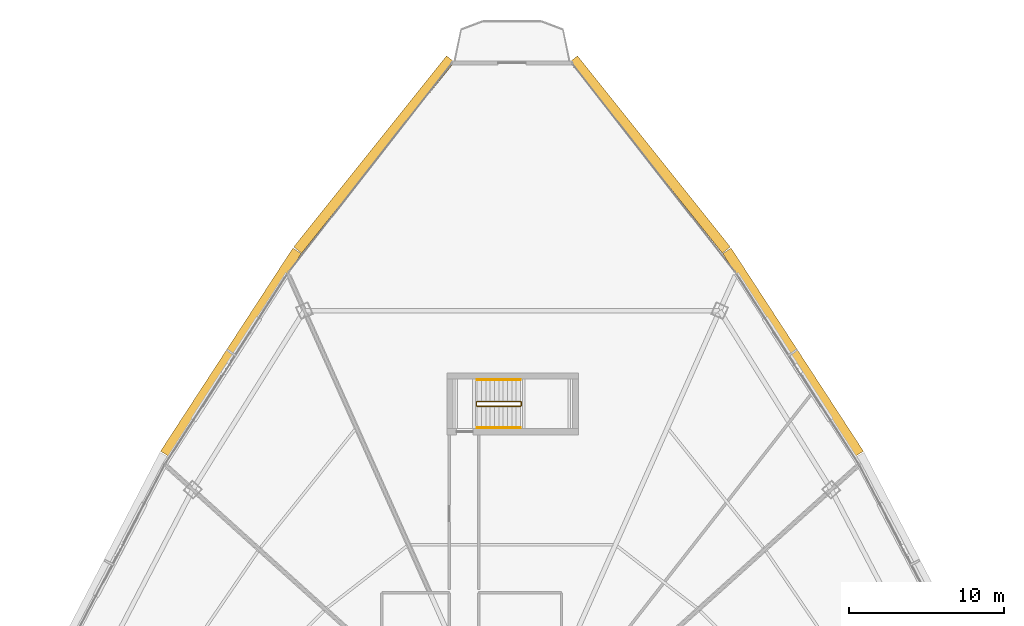
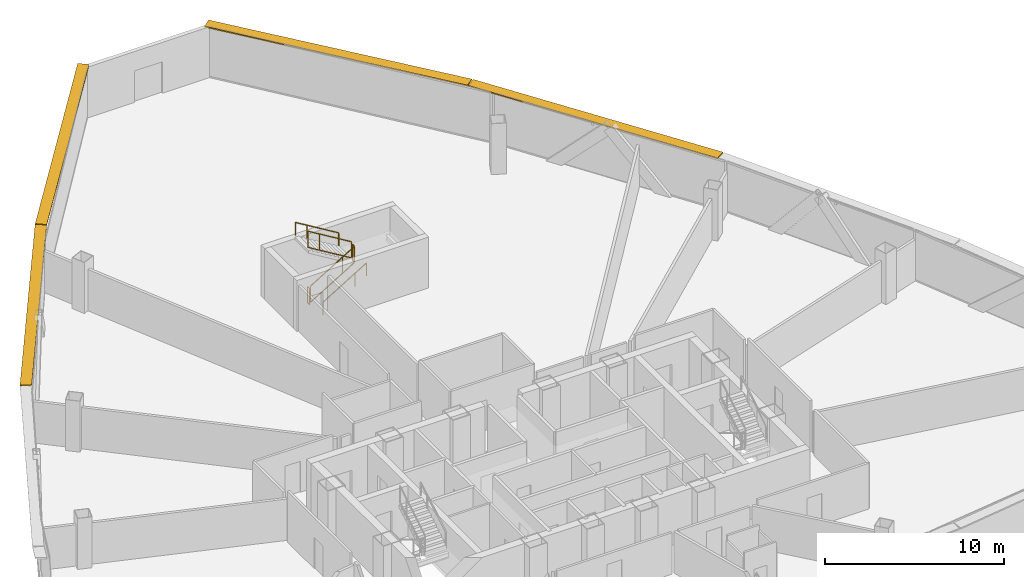
# One storey, part 35 of 36: 6 railings, 4 shading devices.
"""IFC4 building model written with IfcOpenShell, lengths in metres."""

from ifc_helpers import new_model, si_unit, direction, frame, origin, origin_2d, place, context, subcontext, project, spatial, rectangle, extrude, source, transform, mapped, material, layer, layer_set, type_object, element, save


model = new_model("IFC4")

# Units and contexts
model_context = context("Model", 3, precision=1e-05, world=origin(), true_north=direction((0.0, 1.0)))
body_context = subcontext(model_context, "Body", "Model", "MODEL_VIEW")
ifc_project = project(units=[si_unit("LENGTHUNIT", "METRE"), si_unit("AREAUNIT", "SQUARE_METRE"), si_unit("VOLUMEUNIT", "CUBIC_METRE"), si_unit("PLANEANGLEUNIT", "RADIAN"), si_unit("MASSUNIT", "GRAM", prefix="KILO"), si_unit("THERMODYNAMICTEMPERATUREUNIT", "KELVIN"), si_unit("POWERUNIT", "WATT")], contexts=[model_context])

# Site, building, storey
site_placement = place(None, origin())
site = spatial("IfcSite", under=ifc_project, at=site_placement, CompositionType="ELEMENT")
building_placement = place(site_placement, origin())
building = spatial("IfcBuilding", under=site, at=building_placement, Name="Yunzhuo Pagoda Commons", CompositionType="ELEMENT")
storey_placement = place(building_placement, frame((0.0, 0.0, 244.530029296875)))
storey = spatial("IfcBuildingStorey", under=building, at=storey_placement, Name="L61", CompositionType="ELEMENT", Elevation=244.530029296875)

# Railings
ifc_material = material(Name="Anodized aluminium 6063-T6", Category="aluminium")
railing_type_1 = type_object("IfcRailingType", Name="GR-ST3 North Well Guardrail 1155", PredefinedType="GUARDRAIL", material=ifc_material)
railing_1_placement = place(storey_placement, frame((45.75, 57.64990234375, 0.16943359375)))
element("IfcRailing", 1, at=railing_1_placement, inside=storey, type_object=railing_type_1, Name="L61 ST3 stair guard 1", PredefinedType="GUARDRAIL", context=body_context, shape_type="SweptSolid", body=[
    extrude(rectangle(XDim=0.048095703125, YDim=0.048095703125, at=origin_2d()), frame((0.0, 0.0, 1.1259765625), z_axis=(0.855393119324, 0.0, 0.517979354234), x_axis=(0.0, 1.0, 0.0)), (0.0, 0.0, 1.0), 3.2734375),
    extrude(rectangle(XDim=0.048095703125, YDim=0.048095703125, at=origin_2d()), frame((0.0, 0.0, 0.02392578125), z_axis=(0.855393119324, 0.0, 0.517979354234), x_axis=(0.0, 1.0, 0.0)), (0.0, 0.0, 1.0), 3.2734375),
    extrude(rectangle(XDim=0.0419921875, YDim=0.0419921875, at=origin_2d()), origin(), (0.0, 0.0, 1.0), 1.101806640625),
    extrude(rectangle(XDim=0.0419921875, YDim=0.0419921875, at=origin_2d()), frame((2.052978515625, 0.0, 1.2431640625)), (0.0, 0.0, 1.0), 1.101806640625),
    extrude(rectangle(XDim=0.0419921875, YDim=0.0419921875, at=origin_2d()), frame((2.800048828125, 0.0, 1.695556640625)), (0.0, 0.0, 1.0), 1.101806640625),
])
railing_2_placement = place(storey_placement, frame((48.60009765625, 57.699951171875, 1.864990234375)))
element("IfcRailing", 2, at=railing_2_placement, inside=storey, type_object=railing_type_1, Name="L61 ST3 stair guard 2", PredefinedType="GUARDRAIL", context=body_context, shape_type="SweptSolid", body=[
    extrude(rectangle(XDim=0.048095703125, YDim=0.048095703125, at=origin_2d()), frame((0.0, 0.0, 1.1259765625), z_axis=(0.0, 1.0, 0.0), x_axis=(-1.0, 0.0, 0.0)), (0.0, 0.0, 1.0), 0.199951171875),
    extrude(rectangle(XDim=0.048095703125, YDim=0.048095703125, at=origin_2d()), frame((0.0, 0.0, 0.02392578125), z_axis=(0.0, 1.0, 0.0), x_axis=(-1.0, 0.0, 0.0)), (0.0, 0.0, 1.0), 0.199951171875),
    extrude(rectangle(XDim=0.0419921875, YDim=0.0419921875, at=origin_2d()), origin(), (0.0, 0.0, 1.0), 1.101806640625),
    extrude(rectangle(XDim=0.0419921875, YDim=0.0419921875, at=origin_2d()), frame((0.0, 0.199951171875, 0.0)), (0.0, 0.0, 1.0), 1.101806640625),
])
railing_3_placement = place(storey_placement, frame((48.550048828125, 57.949951171875, 2.034423828125)))
element("IfcRailing", 3, at=railing_3_placement, inside=storey, type_object=railing_type_1, Name="L61 ST3 stair guard 3", PredefinedType="GUARDRAIL", context=body_context, shape_type="SweptSolid", body=[
    extrude(rectangle(XDim=0.048095703125, YDim=0.048095703125, at=origin_2d()), frame((0.0, 0.0, 1.1259765625), z_axis=(-0.855393119324, 0.0, 0.517979354234), x_axis=(0.0, -1.0, 0.0)), (0.0, 0.0, 1.0), 3.2734375),
    extrude(rectangle(XDim=0.048095703125, YDim=0.048095703125, at=origin_2d()), frame((0.0, 0.0, 0.02392578125), z_axis=(-0.855393119324, 0.0, 0.517979354234), x_axis=(0.0, -1.0, 0.0)), (0.0, 0.0, 1.0), 3.2734375),
    extrude(rectangle(XDim=0.0419921875, YDim=0.0419921875, at=origin_2d()), origin(), (0.0, 0.0, 1.0), 1.101806640625),
    extrude(rectangle(XDim=0.0419921875, YDim=0.0419921875, at=origin_2d()), frame((-2.052978515625, 0.0, 1.2431640625)), (0.0, 0.0, 1.0), 1.101806640625),
    extrude(rectangle(XDim=0.0419921875, YDim=0.0419921875, at=origin_2d()), frame((-2.800048828125, 0.0, 1.695556640625)), (0.0, 0.0, 1.0), 1.101806640625),
])
railing_4_placement = place(storey_placement, frame((45.699951171875, 57.699951171875, 0.0)))
element("IfcRailing", 4, at=railing_4_placement, inside=storey, type_object=railing_type_1, Name="L61 ST3 stair guard 4", PredefinedType="GUARDRAIL", context=body_context, shape_type="SweptSolid", body=[
    extrude(rectangle(XDim=0.048095703125, YDim=0.048095703125, at=origin_2d()), frame((0.0, 0.0, 1.1259765625), z_axis=(0.0, 1.0, 0.0), x_axis=(-1.0, 0.0, 0.0)), (0.0, 0.0, 1.0), 0.199951171875),
    extrude(rectangle(XDim=0.048095703125, YDim=0.048095703125, at=origin_2d()), frame((0.0, 0.0, 0.02392578125), z_axis=(0.0, 1.0, 0.0), x_axis=(-1.0, 0.0, 0.0)), (0.0, 0.0, 1.0), 0.199951171875),
    extrude(rectangle(XDim=0.0419921875, YDim=0.0419921875, at=origin_2d()), origin(), (0.0, 0.0, 1.0), 1.101806640625),
    extrude(rectangle(XDim=0.0419921875, YDim=0.0419921875, at=origin_2d()), frame((0.0, 0.199951171875, 0.0)), (0.0, 0.0, 1.0), 1.101806640625),
])
railing_type_2 = type_object("IfcRailingType", Name="HR-ST3 North Stair Handrail 900", PredefinedType="HANDRAIL", material=ifc_material)
railing_5_placement = place(storey_placement, frame((45.75, 56.25, 0.16943359375)))
element("IfcRailing", 5, at=railing_5_placement, inside=storey, type_object=railing_type_2, Name="L61 ST3 stair handrail 1", PredefinedType="HANDRAIL", context=body_context, shape_type="SweptSolid", body=[
    extrude(rectangle(XDim=0.048095703125, YDim=0.048095703125, at=origin_2d()), frame((0.0, 0.0, 0.8759765625), z_axis=(0.855393119324, 0.0, 0.517979354234), x_axis=(0.0, 1.0, 0.0)), (0.0, 0.0, 1.0), 3.2734375),
    extrude(rectangle(XDim=0.0419921875, YDim=0.0419921875, at=origin_2d()), origin(), (0.0, 0.0, 1.0), 0.851806640625),
    extrude(rectangle(XDim=0.0419921875, YDim=0.0419921875, at=origin_2d()), frame((2.052978515625, 0.0, 1.2431640625)), (0.0, 0.0, 1.0), 0.851806640625),
    extrude(rectangle(XDim=0.0419921875, YDim=0.0419921875, at=origin_2d()), frame((2.800048828125, 0.0, 1.695556640625)), (0.0, 0.0, 1.0), 0.851806640625),
])
railing_6_placement = place(storey_placement, frame((48.550048828125, 59.35009765625, 2.034423828125)))
element("IfcRailing", 6, at=railing_6_placement, inside=storey, type_object=railing_type_2, Name="L61 ST3 stair handrail 2", PredefinedType="HANDRAIL", context=body_context, shape_type="SweptSolid", body=[
    extrude(rectangle(XDim=0.048095703125, YDim=0.048095703125, at=origin_2d()), frame((0.0, 0.0, 0.8759765625), z_axis=(-0.855393119324, 0.0, 0.517979354234), x_axis=(0.0, -1.0, 0.0)), (0.0, 0.0, 1.0), 3.2734375),
    extrude(rectangle(XDim=0.0419921875, YDim=0.0419921875, at=origin_2d()), origin(), (0.0, 0.0, 1.0), 0.851806640625),
    extrude(rectangle(XDim=0.0419921875, YDim=0.0419921875, at=origin_2d()), frame((-2.052978515625, 0.0, 1.2431640625)), (0.0, 0.0, 1.0), 0.851806640625),
    extrude(rectangle(XDim=0.0419921875, YDim=0.0419921875, at=origin_2d()), frame((-2.800048828125, 0.0, 1.695556640625)), (0.0, 0.0, 1.0), 0.851806640625),
])

# Shading devices
ifc_layer = layer(ifc_material, 0.080078125)
ifc_layer_set = layer_set([ifc_layer], Name="Anodized aluminium 6063-T6")
shading_device_type = type_object("IfcShadingDeviceType", Name="SH-SUN1 Pagoda Horizontal Sunshade Eave 650", PredefinedType="USERDEFINED", material=ifc_layer_set)
shared_shape_1 = source(origin(), body_context, "Body", "SweptSolid", [
    extrude(rectangle(XDim=15.79638671875, YDim=0.64990234375, at=origin_2d()), origin(), (0.0, 0.0, 1.0), 0.080078125),
])
for number, where, z_axis, x_axis, name in (
    (7, (56.906005859375, 73.8955078125, 3.389892578125), (0.0, 0.0, 1.0), (-0.624520471688, 0.781008438138, 0.0), "L61 horizontal pagoda sunshade eave F2.4"),
    (8, (39.093994140625, 73.8955078125, 3.389892578125), (0.0, 0.0, 1.0), (-0.624520471688, -0.781008438138, 0.0), "L61 horizontal pagoda sunshade eave F3.1"),
):
    element("IfcShadingDevice", number, at=place(storey_placement, frame(where, z_axis=z_axis, x_axis=x_axis)), inside=storey, type_object=shading_device_type, Name=name, ObjectType="SUNSHADE", PredefinedType="USERDEFINED", context=body_context, shape_type="MappedRepresentation", body=[
        mapped(shared_shape_1, transform((0.0, 0.0, 0.0), scale=1.0)),
    ])
shared_shape_2 = source(origin(), body_context, "Body", "SweptSolid", [
    extrude(rectangle(XDim=15.646484375, YDim=0.64990234375, at=origin_2d()), origin(), (0.0, 0.0, 1.0), 0.080078125),
])
for number, where, z_axis, x_axis, name in (
    (9, (66.14599609375, 61.12060546875, 3.389892578125), (0.0, 0.0, 1.0), (-0.545838756973, 0.837890238269, 0.0), "L61 horizontal pagoda sunshade eave F2.3"),
    (10, (29.85400390625, 61.12060546875, 3.389892578125), (0.0, 0.0, 1.0), (-0.545838756973, -0.837890238269, 0.0), "L61 horizontal pagoda sunshade eave F3.2"),
):
    element("IfcShadingDevice", number, at=place(storey_placement, frame(where, z_axis=z_axis, x_axis=x_axis)), inside=storey, type_object=shading_device_type, Name=name, ObjectType="SUNSHADE", PredefinedType="USERDEFINED", context=body_context, shape_type="MappedRepresentation", body=[
        mapped(shared_shape_2, transform((0.0, 0.0, 0.0), scale=1.0)),
    ])

save(model, "model.ifc")
